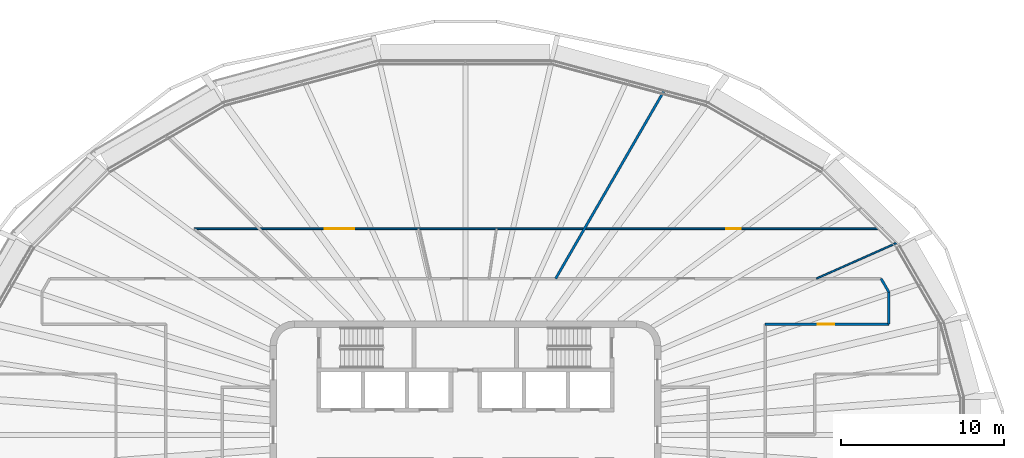
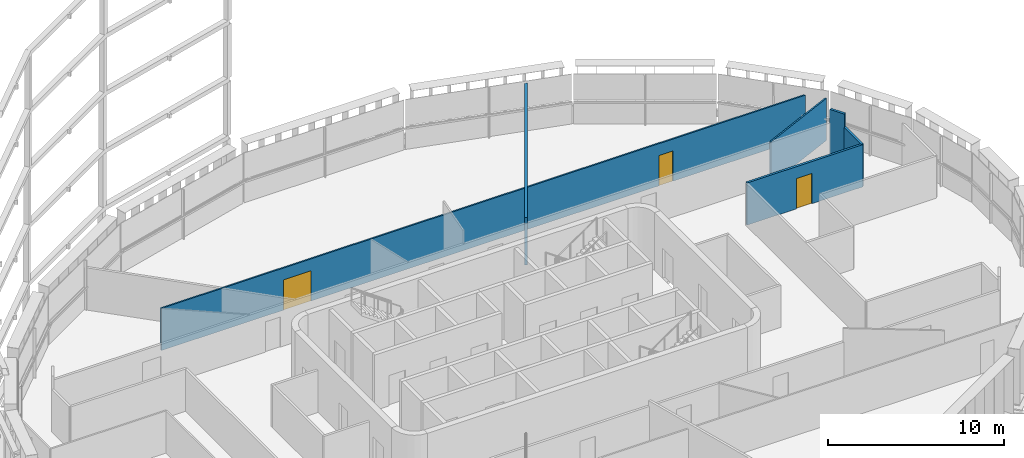
# One storey, part 12 of 20: 6 walls, 3 doors, 3 openings.
"""IFC4 building model written with IfcOpenShell, lengths in metres."""

from ifc_helpers import new_model, si_unit, direction, frame, frame_2d, origin, place, context, subcontext, project, spatial, rectangle, extrude, material, layer, layer_set, type_object, element, fill, save


model = new_model("IFC4")

# Units and contexts
model_context = context("Model", 3, precision=1e-05, world=origin(), true_north=direction((0.0, 1.0)))
body_context = subcontext(model_context, "Body", "Model", "MODEL_VIEW")
ifc_project = project(units=[si_unit("LENGTHUNIT", "METRE"), si_unit("AREAUNIT", "SQUARE_METRE"), si_unit("VOLUMEUNIT", "CUBIC_METRE"), si_unit("PLANEANGLEUNIT", "RADIAN"), si_unit("MASSUNIT", "GRAM", prefix="KILO")], contexts=[model_context])

# Site, building, storey
site_placement = place(None, origin())
site = spatial("IfcSite", under=ifc_project, at=site_placement, CompositionType="ELEMENT")
building_placement = place(site_placement, origin())
building = spatial("IfcBuilding", under=site, at=building_placement, Name="Sahrelin Media Tower", CompositionType="ELEMENT")
storey_placement = place(building_placement, frame((0.0, 0.0, 213.60009765625)))
storey = spatial("IfcBuildingStorey", under=building, at=storey_placement, Name="L45", CompositionType="ELEMENT", Elevation=213.60009765625)

# Wall
ifc_material_1 = material(Name="Fire-rated gypsum board partition")
ifc_layer_1 = layer(ifc_material_1, 0.14990234375)
ifc_layer_set_1 = layer_set([ifc_layer_1], Name="Fire-rated partition 150")
wall_type_1 = type_object("IfcWallType", Name="Fire-rated partition 150", PredefinedType="PARTITIONING", material=ifc_layer_set_1)
wall_1_placement = place(storey_placement, frame((25.52197265625, 9.60009765625, 0.0), z_axis=(0.0, 0.0, 1.0), x_axis=(0.499980071345, -0.866036909293, 0.0)))
element("IfcWall", 1, at=wall_1_placement, inside=storey, type_object=wall_type_1, Name="Wall", PredefinedType="PARTITIONING", context=body_context, shape_type="SweptSolid", body=[
    extrude(rectangle(XDim=0.95703125, YDim=0.14990234375, at=frame_2d((0.478515625, 0.0))), origin(), (0.0, 0.0, 1.0), 3.849853515625),
])

# Wall, opening, door
wall_2_placement = place(storey_placement, frame((18.39990234375, 6.800048828125, 0.0), z_axis=(0.0, 0.0, 1.0), x_axis=(1.0, 0.0, 0.0)))
wall_2 = element("IfcWall", 2, at=wall_2_placement, inside=storey, type_object=wall_type_1, Name="Wall", PredefinedType="PARTITIONING", context=body_context, shape_type="SweptSolid", body=[
    extrude(rectangle(XDim=7.60009765625, YDim=0.14990234375, at=frame_2d((3.800048828125, 0.0))), origin(), (0.0, 0.0, 1.0), 2.927001953125),
])
opening_1_placement = place(wall_2_placement, frame((3.2490234375, 0.0, 0.0)))
opening_1 = element("IfcOpeningElement", 3, at=opening_1_placement, cuts=wall_2, Name="Opening L45-D31", PredefinedType="OPENING", context=body_context, shape_type="SweptSolid", body=[
    extrude(rectangle(XDim=1.0, YDim=2.10009765625, at=frame_2d((0.5, 1.050048828125))), frame((0.0, 0.074951171875, 0.0), z_axis=(0.0, -1.0, 0.0), x_axis=(1.0, 0.0, 0.0)), (0.0, 0.0, 1.0), 0.14990234375),
])
ifc_material_2 = material(Name="Steel fire door leaf", Category="steel")
door_type_1 = type_object("IfcDoorType", Name="Fire door 1000 x 2100 EI 60", OperationType="NOTDEFINED", PredefinedType="DOOR", material=ifc_material_2)
door_1_placement = place(opening_1_placement, origin())
door_1 = element("IfcDoor", 4, at=door_1_placement, inside=storey, type_object=door_type_1, Name="Fire door", OperationType="SINGLE_SWING_RIGHT", OverallHeight=2.10009765625, OverallWidth=1.0, PredefinedType="DOOR", context=body_context, shape_type="SweptSolid", body=[
    extrude(rectangle(XDim=1.0, YDim=2.10009765625, at=frame_2d((0.5, 1.050048828125))), frame((0.0, 0.02490234375, 0.0), z_axis=(0.0, -1.0, 0.0), x_axis=(1.0, 0.0, 0.0)), (0.0, 0.0, 1.0), 0.050048828125),
])
fill(opening_1, door_1)

# Walls
wall_3_placement = place(storey_placement, frame((5.54296875, 9.60009765625, 0.0), z_axis=(0.0, 0.0, 1.0), x_axis=(0.499967881601, 0.866043946556, 0.0)))
element("IfcWall", 5, at=wall_3_placement, inside=storey, type_object=wall_type_1, Name="Wall", PredefinedType="PARTITIONING", context=body_context, shape_type="SweptSolid", body=[
    extrude(rectangle(XDim=13.318359375, YDim=0.14990234375, at=frame_2d((6.6591796875, 0.0))), origin(), (0.0, 0.0, 1.0), 3.301513671875),
])
wall_4_placement = place(storey_placement, frame((26.0, 6.800048828125, 0.0), z_axis=(0.0, 0.0, 1.0), x_axis=(0.0, 1.0, 0.0)))
element("IfcWall", 6, at=wall_4_placement, inside=storey, type_object=wall_type_1, Name="Wall", PredefinedType="PARTITIONING", context=body_context, shape_type="SweptSolid", body=[
    extrude(rectangle(XDim=1.970947265625, YDim=0.14990234375, at=frame_2d((0.9853515625, 0.0))), origin(), (0.0, 0.0, 1.0), 2.927001953125),
])

# Wall, openings, doors
ifc_material_3 = material(Name="Gypsum board partition")
ifc_layer_2 = layer(ifc_material_3, 0.10009765625)
ifc_layer_set_2 = layer_set([ifc_layer_2], Name="Partition 100")
wall_type_2 = type_object("IfcWallType", Name="Partition 100", PredefinedType="PARTITIONING", material=ifc_layer_set_2)
wall_5_placement = place(storey_placement, frame((-16.64892578125, 12.659912109375, 0.0), z_axis=(0.0, 0.0, 1.0), x_axis=(1.0, 0.0, 0.0)))
wall_5 = element("IfcWall", 7, at=wall_5_placement, inside=storey, type_object=wall_type_2, Name="Wall", PredefinedType="PARTITIONING", context=body_context, shape_type="SweptSolid", body=[
    extrude(rectangle(XDim=42.27587890625, YDim=0.10009765625, at=frame_2d((21.137939453125, 0.0))), origin(), (0.0, 0.0, 1.0), 2.927001953125),
])
opening_2_placement = place(wall_5_placement, frame((8.02490234375, 0.0, 0.0)))
opening_2 = element("IfcOpeningElement", 8, at=opening_2_placement, cuts=wall_5, Name="Opening L45-D18", PredefinedType="OPENING", context=body_context, shape_type="SweptSolid", body=[
    extrude(rectangle(XDim=1.800048828125, YDim=2.10009765625, at=frame_2d((0.89990234375, 1.050048828125))), frame((0.0, 0.050048828125, 0.0), z_axis=(0.0, -1.0, 0.0), x_axis=(1.0, 0.0, 0.0)), (0.0, 0.0, 1.0), 0.10009765625),
])
opening_3_placement = place(wall_5_placement, frame((32.66748046875, 0.0, 0.0)))
opening_3 = element("IfcOpeningElement", 9, at=opening_3_placement, cuts=wall_5, Name="Opening L45-D33", PredefinedType="OPENING", context=body_context, shape_type="SweptSolid", body=[
    extrude(rectangle(XDim=0.89990234375, YDim=2.10009765625, at=frame_2d((0.449951171875, 1.050048828125))), frame((0.0, 0.050048828125, 0.0), z_axis=(0.0, -1.0, 0.0), x_axis=(1.0, 0.0, 0.0)), (0.0, 0.0, 1.0), 0.10009765625),
])
ifc_material_4 = material(Name="Timber door leaf", Category="wood")
door_type_2 = type_object("IfcDoorType", Name="Double door 1800 x 2100", OperationType="DOUBLE_DOOR_SINGLE_SWING", PredefinedType="DOOR", material=ifc_material_4)
door_2_placement = place(opening_2_placement, origin())
door_2 = element("IfcDoor", 10, at=door_2_placement, inside=storey, type_object=door_type_2, Name="Double door", OperationType="DOUBLE_DOOR_SINGLE_SWING", OverallHeight=2.10009765625, OverallWidth=1.800048828125, PredefinedType="DOOR", context=body_context, shape_type="SweptSolid", body=[
    extrude(rectangle(XDim=1.800048828125, YDim=2.10009765625, at=frame_2d((0.89990234375, 1.050048828125))), frame((0.0, 0.02490234375, 0.0), z_axis=(0.0, -1.0, 0.0), x_axis=(1.0, 0.0, 0.0)), (0.0, 0.0, 1.0), 0.050048828125),
])
fill(opening_2, door_2)
door_type_3 = type_object("IfcDoorType", Name="Single door 900 x 2100", OperationType="NOTDEFINED", PredefinedType="DOOR", material=ifc_material_4)
door_3_placement = place(opening_3_placement, origin())
door_3 = element("IfcDoor", 11, at=door_3_placement, inside=storey, type_object=door_type_3, Name="Single door", OperationType="SINGLE_SWING_LEFT", OverallHeight=2.10009765625, OverallWidth=0.89990234375, PredefinedType="DOOR", context=body_context, shape_type="SweptSolid", body=[
    extrude(rectangle(XDim=0.89990234375, YDim=2.10009765625, at=frame_2d((0.449951171875, 1.050048828125))), frame((0.0, 0.02490234375, 0.0), z_axis=(0.0, -1.0, 0.0), x_axis=(1.0, 0.0, 0.0)), (0.0, 0.0, 1.0), 0.050048828125),
])
fill(opening_3, door_3)

# Wall
wall_6_placement = place(storey_placement, frame((21.56298828125, 9.60009765625, 0.0), z_axis=(0.0, 0.0, 1.0), x_axis=(0.91352396797, 0.406784906239, 0.0)))
element("IfcWall", 12, at=wall_6_placement, inside=storey, type_object=wall_type_2, Name="Wall", PredefinedType="PARTITIONING", context=body_context, shape_type="SweptSolid", body=[
    extrude(rectangle(XDim=5.3955078125, YDim=0.10009765625, at=frame_2d((2.69775390625, 0.0))), origin(), (0.0, 0.0, 1.0), 2.927001953125),
])

save(model, "model.ifc")
